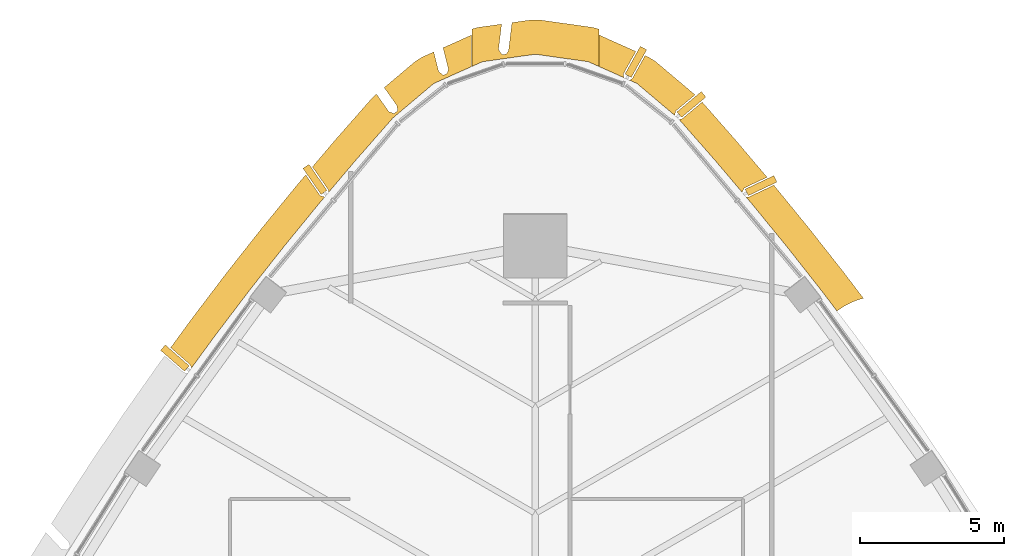
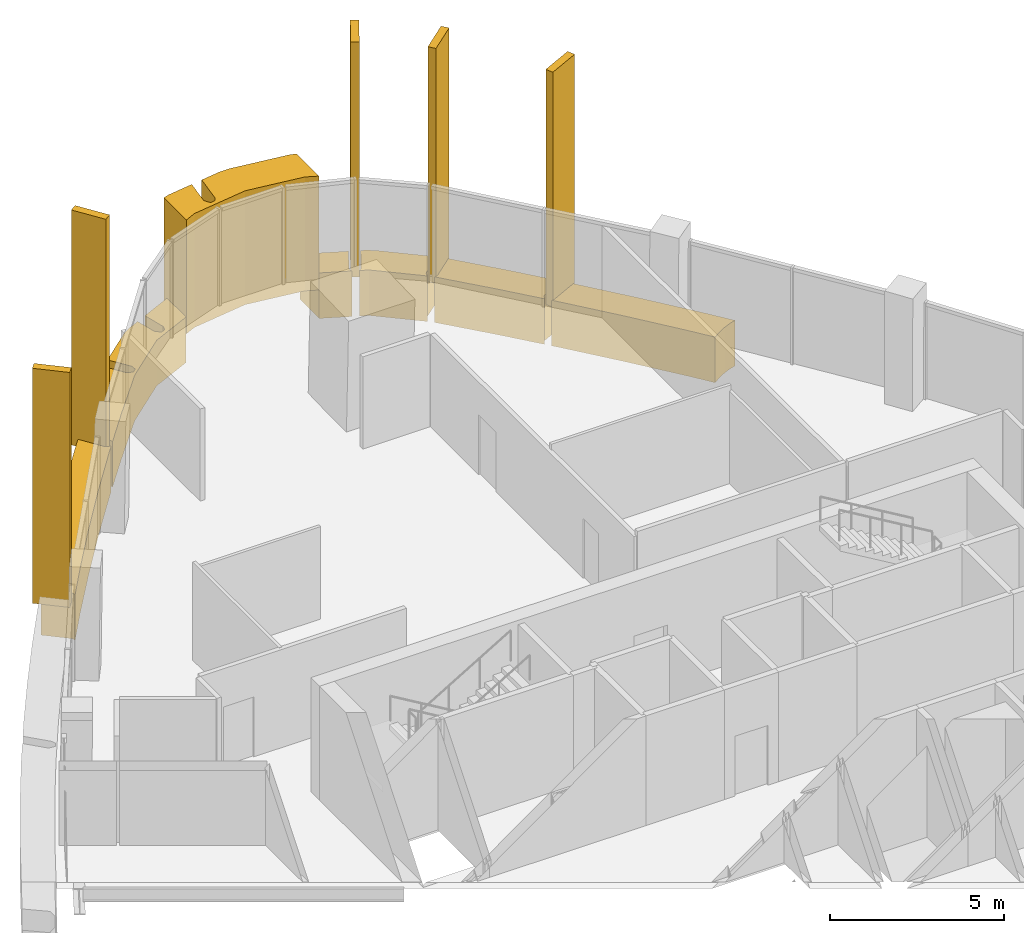
# One storey, part 17 of 18: 12 coverings.
"""IFC4 building model written with IfcOpenShell, lengths in metres."""

from ifc_helpers import new_model, si_unit, direction, frame, origin, origin_2d, place, context, subcontext, project, spatial, polyline, rectangle, outline, extrude, material, layer, layer_set, material_profile, profile_set, type_object, element, save


model = new_model("IFC4")

# Units and contexts
model_context = context("Model", 3, precision=1e-05, world=origin(), true_north=direction((0.0, 1.0)))
body_context = subcontext(model_context, "Body", "Model", "MODEL_VIEW")
ifc_project = project(units=[si_unit("LENGTHUNIT", "METRE"), si_unit("AREAUNIT", "SQUARE_METRE"), si_unit("VOLUMEUNIT", "CUBIC_METRE"), si_unit("PLANEANGLEUNIT", "RADIAN"), si_unit("MASSUNIT", "GRAM", prefix="KILO")], contexts=[model_context])

# Site, building, storey
site_placement = place(None, origin())
site = spatial("IfcSite", under=ifc_project, at=site_placement, CompositionType="ELEMENT")
building_placement = place(site_placement, origin())
building = spatial("IfcBuilding", under=site, at=building_placement, Name="Sierra Prisma Convention Tower", CompositionType="ELEMENT")
storey_placement = place(building_placement, frame((0.0, 0.0, 279.0)))
storey = spatial("IfcBuildingStorey", under=building, at=storey_placement, Name="L63", CompositionType="ELEMENT", Elevation=279.0)

# Coverings
ifc_material_1 = material(Name="Aluminium composite bronze anodised", Category="aluminium")
ifc_layer_1 = layer(ifc_material_1, 1.199951171875)
ifc_layer_set_1 = layer_set([ifc_layer_1], Name="Bronze corner pier")
covering_type_1 = type_object("IfcCoveringType", Name="Bronze corner pier", PredefinedType="CLADDING", material=ifc_layer_set_1)
covering_1_placement = place(storey_placement, frame((0.0, 0.0, -0.60009765625)))
element("IfcCovering", 1, at=covering_1_placement, inside=storey, type_object=covering_type_1, Name="Corner pier N L63.1", PredefinedType="CLADDING", context=body_context, shape_type="SweptSolid", body=[
    extrude(outline(polyline([(-1.163330078125, 30.82470703125), (-1.159423828125, 30.822021484375), (-1.1552734375, 30.81982421875), (-1.15087890625, 30.818115234375), (-1.146240234375, 30.81689453125), (-1.1416015625, 30.81591796875), (-1.136962890625, 30.8154296875), (-1.132080078125, 30.8154296875), (-1.12744140625, 30.81591796875), (-1.028564453125, 30.829833984375), (-1.023681640625, 30.830810546875), (-1.018798828125, 30.832275390625), (-1.014404296875, 30.833984375), (-1.010009765625, 30.83642578125), (-1.005859375, 30.839111328125), (-1.001953125, 30.84228515625), (-0.99853515625, 30.845703125), (-0.995361328125, 30.849609375), (-0.99267578125, 30.853759765625), (-0.934814453125, 30.950439453125), (-0.932373046875, 30.955078125), (-0.930419921875, 30.9599609375), (-0.928955078125, 30.96484375), (-0.927978515625, 30.969970703125), (-0.8115234375, 31.923095703125), (-0.167724609375, 32.01416015625), (0.167724609375, 32.01416015625), (2.001953125, 31.75537109375), (2.199951171875, 31.6982421875), (2.199951171875, 30.4033203125), (1.834228515625, 30.56689453125), (0.0, 30.825927734375), (-1.834228515625, 30.56689453125), (-2.199951171875, 30.4033203125), (-2.199951171875, 31.6982421875), (-2.001953125, 31.75537109375), (-1.17041015625, 31.87255859375), (-1.275390625, 31.012451171875), (-1.27587890625, 31.007568359375), (-1.275634765625, 31.00244140625), (-1.275146484375, 30.99755859375), (-1.27392578125, 30.99267578125), (-1.2724609375, 30.988037109375), (-1.270263671875, 30.9833984375), (-1.267822265625, 30.979248046875), (-1.176513671875, 30.838134765625), (-1.173583984375, 30.83447265625), (-1.170654296875, 30.830810546875), (-1.167236328125, 30.82763671875), (-1.163330078125, 30.82470703125)])), origin(), (0.0, 0.0, 1.0), 4.0),
])
ifc_material_2 = material(Name="Aluminium 6063-T6 bronze anodised", Category="aluminium")
ifc_material_profile = material_profile(ifc_material_2, rectangle(XDim=1.10009765625, YDim=0.25, at=origin_2d()), Name="ALU FIN 1100x250")
ifc_profile_set = profile_set([ifc_material_profile], Name="Aluminium 6063-T6 bronze anodised")
covering_type_2 = type_object("IfcCoveringType", Name="Bronze facade fin", PredefinedType="CLADDING", material=ifc_profile_set)
for number, where, z_axis, x_axis, name in (
    (2, (7.830078125, 26.267333984375, -0.300048828125), (0.0, 0.0, 1.0), (0.904320493244, 0.426854126722, 0.0), "Fin L63.39"),
    (3, (5.413818359375, 29.082763671875, -0.300048828125), (0.0, 0.0, 1.0), (0.767833733204, 0.640649169323, 0.0), "Fin L63.40"),
    (4, (3.4853515625, 30.560302734375, -0.300048828125), (0.0, 0.0, 1.0), (0.486272150577, 0.87380741332, 0.0), "Fin L63.41"),
    (5, (-7.64599609375, 26.484375, -0.300048828125), (0.0, 0.0, 1.0), (-0.569737456951, 0.821826764073, 0.0), "Fin L63.46"),
    (6, (-12.5068359375, 20.28515625, -0.300048828125), (0.0, 0.0, 1.0), (-0.752864835348, 0.658175158826, 0.0), "Fin L63.49"),
):
    element("IfcCovering", number, at=place(storey_placement, frame(where, z_axis=z_axis, x_axis=x_axis)), inside=storey, type_object=covering_type_2, Name=name, ObjectType="FIN", PredefinedType="CLADDING", context=body_context, shape_type="SweptSolid", body=[
        extrude(rectangle(XDim=1.10009765625, YDim=0.25, at=origin_2d()), origin(), (0.0, 0.0, 1.0), 8.25),
    ])
ifc_material_3 = material(Name="Aluminium composite bronze anodised", Category="aluminium")
ifc_layer_2 = layer(ifc_material_3, 1.0)
ifc_layer_set_2 = layer_set([ifc_layer_2], Name="Bronze spandrel band")
covering_type_3 = type_object("IfcCoveringType", Name="Bronze spandrel band", PredefinedType="CLADDING", material=ifc_layer_set_2)
covering_2_placement = place(storey_placement, frame((0.0, 0.0, -1.60009765625)))
element("IfcCovering", 7, at=covering_2_placement, inside=storey, type_object=covering_type_3, Name="Spandrel band L63.5", PredefinedType="CLADDING", context=body_context, shape_type="SweptSolid", body=[
    extrude(outline(polyline([(-8.25634765625, 26.3037109375), (-7.96875, 26.64306640625), (-7.476318359375, 25.932861328125), (-7.473388671875, 25.9287109375), (-7.469970703125, 25.92529296875), (-7.46630859375, 25.921875), (-7.462158203125, 25.919189453125), (-7.4580078125, 25.91650390625), (-7.453369140625, 25.91455078125), (-7.448486328125, 25.9130859375), (-7.30908203125, 25.874755859375), (-7.4931640625, 25.6572265625), (-8.729248046875, 24.143798828125), (-9.93798828125, 22.608642578125), (-11.118896484375, 21.052001953125), (-11.9306640625, 19.941650390625), (-11.96337890625, 20.033935546875), (-11.96533203125, 20.038818359375), (-11.9677734375, 20.043212890625), (-11.970703125, 20.04736328125), (-11.973876953125, 20.05126953125), (-11.9775390625, 20.054931640625), (-12.654052734375, 20.646484375), (-11.926513671875, 21.64208984375), (-11.915771484375, 21.656494140625), (-10.734619140625, 23.213134765625), (-10.7236328125, 23.227294921875), (-9.514892578125, 24.762451171875), (-9.50390625, 24.776611328125), (-8.267578125, 26.289794921875), (-8.25634765625, 26.3037109375)])), origin(), (0.0, 0.0, 1.0), 1.60009765625),
])
covering_3_placement = place(storey_placement, frame((0.0, 0.0, -1.60009765625)))
element("IfcCovering", 8, at=covering_3_placement, inside=storey, type_object=covering_type_3, Name="Spandrel band L63.6", PredefinedType="CLADDING", context=body_context, shape_type="SweptSolid", body=[
    extrude(outline(polyline([(-5.082763671875, 28.836181640625), (-5.07861328125, 28.833251953125), (-5.07421875, 28.830810546875), (-5.069580078125, 28.828857421875), (-4.927978515625, 28.777099609375), (-4.923583984375, 28.775390625), (-4.9189453125, 28.7744140625), (-4.9140625, 28.77392578125), (-4.9091796875, 28.77392578125), (-4.904541015625, 28.7744140625), (-4.89990234375, 28.775146484375), (-4.895263671875, 28.7763671875), (-4.890869140625, 28.778076171875), (-4.886474609375, 28.7802734375), (-4.88232421875, 28.78271484375), (-4.878662109375, 28.78564453125), (-4.80224609375, 28.85009765625), (-4.798583984375, 28.853515625), (-4.79541015625, 28.857177734375), (-4.79248046875, 28.861083984375), (-4.7900390625, 28.865234375), (-4.7880859375, 28.86962890625), (-4.78662109375, 28.874267578125), (-4.785400390625, 28.87890625), (-4.78466796875, 28.8837890625), (-4.784423828125, 28.888671875), (-4.78466796875, 28.8935546875), (-4.798095703125, 29.02490234375), (-4.798828125, 29.030029296875), (-4.80029296875, 29.034912109375), (-4.802001953125, 29.039794921875), (-4.80419921875, 29.044189453125), (-4.806884765625, 29.048583984375), (-5.243896484375, 29.668701171875), (-4.170166015625, 30.574951171875), (-3.933349609375, 30.7236328125), (-3.527099609375, 30.9052734375), (-3.361083984375, 30.24365234375), (-3.359619140625, 30.2392578125), (-3.35791015625, 30.23486328125), (-3.355712890625, 30.230712890625), (-3.353271484375, 30.226806640625), (-3.350341796875, 30.22314453125), (-3.34716796875, 30.2197265625), (-3.34375, 30.216796875), (-3.218994140625, 30.1171875), (-3.215087890625, 30.114501953125), (-3.210693359375, 30.11181640625), (-3.206298828125, 30.10986328125), (-3.201416015625, 30.108154296875), (-3.19677734375, 30.107177734375), (-3.191650390625, 30.1064453125), (-3.186767578125, 30.106201171875), (-3.181884765625, 30.106689453125), (-3.177001953125, 30.107666015625), (-3.172119140625, 30.10888671875), (-3.16748046875, 30.110595703125), (-3.076171875, 30.151611328125), (-3.071533203125, 30.15380859375), (-3.0673828125, 30.15673828125), (-3.063232421875, 30.159912109375), (-3.0595703125, 30.16357421875), (-3.056396484375, 30.16748046875), (-3.053466796875, 30.171875), (-3.051025390625, 30.176513671875), (-3.04931640625, 30.181396484375), (-3.0478515625, 30.186279296875), (-3.021240234375, 30.305908203125), (-3.0205078125, 30.310546875), (-3.02001953125, 30.315185546875), (-3.02001953125, 30.31982421875), (-3.0205078125, 30.324462890625), (-3.021484375, 30.328857421875), (-3.202880859375, 31.05029296875), (-2.242431640625, 31.47998046875), (-2.2099609375, 31.4892578125), (-2.2099609375, 30.39892578125), (-3.525146484375, 29.810791015625), (-4.94091796875, 28.6162109375), (-6.230224609375, 27.148193359375), (-7.167236328125, 26.0419921875), (-7.180908203125, 26.113037109375), (-7.181884765625, 26.1181640625), (-7.183837890625, 26.123046875), (-7.18603515625, 26.127685546875), (-7.188720703125, 26.132080078125), (-7.734619140625, 26.91943359375), (-6.993408203125, 27.79443359375), (-6.981689453125, 27.80810546875), (-5.692138671875, 29.276123046875), (-5.585693359375, 29.38037109375), (-5.512451171875, 29.442138671875), (-5.093017578125, 28.846923828125), (-5.090087890625, 28.843017578125), (-5.08642578125, 28.83935546875), (-5.082763671875, 28.836181640625)])), origin(), (0.0, 0.0, 1.0), 1.60009765625),
])
covering_4_placement = place(storey_placement, frame((0.0, 0.0, -1.60009765625)))
element("IfcCovering", 9, at=covering_4_placement, inside=storey, type_object=covering_type_3, Name="Spandrel band L63.7", PredefinedType="CLADDING", context=body_context, shape_type="SweptSolid", body=[
    extrude(outline(polyline([(3.06494140625, 30.164794921875), (3.062744140625, 30.160400390625), (3.060791015625, 30.155517578125), (3.059814453125, 30.150634765625), (3.058837890625, 30.145751953125), (3.05859375, 30.140625), (3.058837890625, 30.135498046875), (3.07080078125, 30.013916015625), (2.2099609375, 30.39892578125), (2.2099609375, 31.4892578125), (2.242431640625, 31.47998046875), (3.487060546875, 30.92333984375), (3.06494140625, 30.164794921875)])), origin(), (0.0, 0.0, 1.0), 1.60009765625),
])
covering_5_placement = place(storey_placement, frame((0.0, 0.0, -1.60009765625)))
element("IfcCovering", 10, at=covering_5_placement, inside=storey, type_object=covering_type_3, Name="Spandrel band L63.8", PredefinedType="CLADDING", context=body_context, shape_type="SweptSolid", body=[
    extrude(outline(polyline([(4.864013671875, 28.842041015625), (4.86279296875, 28.83740234375), (4.8330078125, 28.707275390625), (3.525146484375, 29.810791015625), (3.269775390625, 29.925048828125), (3.353271484375, 29.976318359375), (3.357421875, 29.979248046875), (3.361328125, 29.982421875), (3.364990234375, 29.986083984375), (3.367919921875, 29.990234375), (3.37060546875, 29.99462890625), (3.8076171875, 30.77978515625), (3.933349609375, 30.7236328125), (4.170166015625, 30.574951171875), (5.541748046875, 29.41748046875), (4.87939453125, 28.86474609375), (4.8759765625, 28.861572265625), (4.872802734375, 28.858154296875), (4.8701171875, 28.8544921875), (4.86767578125, 28.8505859375), (4.865478515625, 28.84619140625), (4.864013671875, 28.842041015625)])), origin(), (0.0, 0.0, 1.0), 1.60009765625),
])
covering_6_placement = place(storey_placement, frame((0.0, 0.0, -1.60009765625)))
element("IfcCovering", 11, at=covering_6_placement, inside=storey, type_object=covering_type_3, Name="Spandrel band L63.9", PredefinedType="CLADDING", context=body_context, shape_type="SweptSolid", body=[
    extrude(outline(polyline([(7.23388671875, 26.16650390625), (7.173095703125, 26.03515625), (6.230224609375, 27.148193359375), (4.9873046875, 28.563232421875), (5.0830078125, 28.585693359375), (5.08740234375, 28.5869140625), (5.091796875, 28.588623046875), (5.095947265625, 28.5908203125), (5.099853515625, 28.59326171875), (5.103515625, 28.595947265625), (5.787841796875, 29.1669921875), (6.981689453125, 27.80810546875), (6.993408203125, 27.79443359375), (8.039306640625, 26.5595703125), (7.2578125, 26.190673828125), (7.25341796875, 26.1884765625), (7.24951171875, 26.185546875), (7.24560546875, 26.1826171875), (7.2421875, 26.178955078125), (7.239013671875, 26.175048828125), (7.236083984375, 26.1708984375), (7.23388671875, 26.16650390625)])), origin(), (0.0, 0.0, 1.0), 1.60009765625),
])
covering_7_placement = place(storey_placement, frame((0.0, 0.0, -1.60009765625)))
element("IfcCovering", 12, at=covering_7_placement, inside=storey, type_object=covering_type_3, Name="Spandrel band L63.10", PredefinedType="CLADDING", context=body_context, shape_type="SweptSolid", body=[
    extrude(outline(polyline([(9.93798828125, 22.608642578125), (8.729248046875, 24.143798828125), (7.4931640625, 25.6572265625), (7.31494140625, 25.86767578125), (7.38720703125, 25.869384765625), (7.392333984375, 25.869873046875), (7.3974609375, 25.870849609375), (7.402587890625, 25.872314453125), (7.4072265625, 25.874267578125), (8.273193359375, 26.282958984375), (9.50390625, 24.776611328125), (9.514892578125, 24.762451171875), (10.7236328125, 23.227294921875), (10.734619140625, 23.213134765625), (11.382080078125, 22.35986328125), (11.1826171875, 22.3017578125), (10.953857421875, 22.209716796875), (10.735107421875, 22.095703125), (10.528564453125, 21.961181640625), (10.464599609375, 21.914794921875), (9.93798828125, 22.608642578125)])), origin(), (0.0, 0.0, 1.0), 1.60009765625),
])

save(model, "model.ifc")
